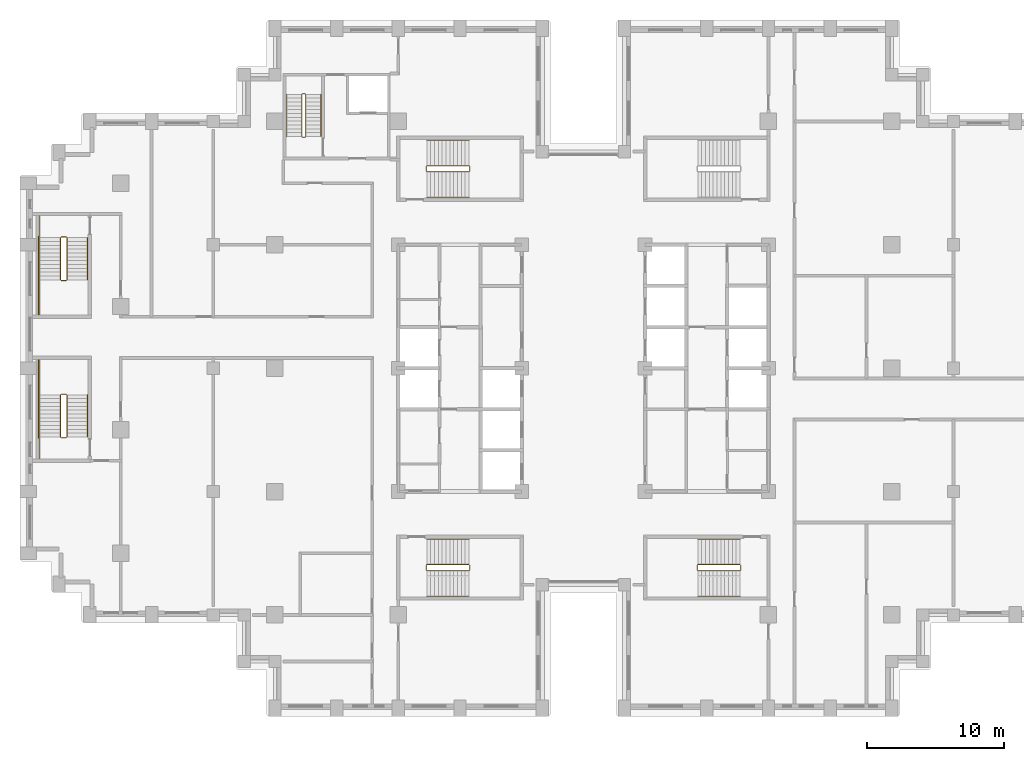
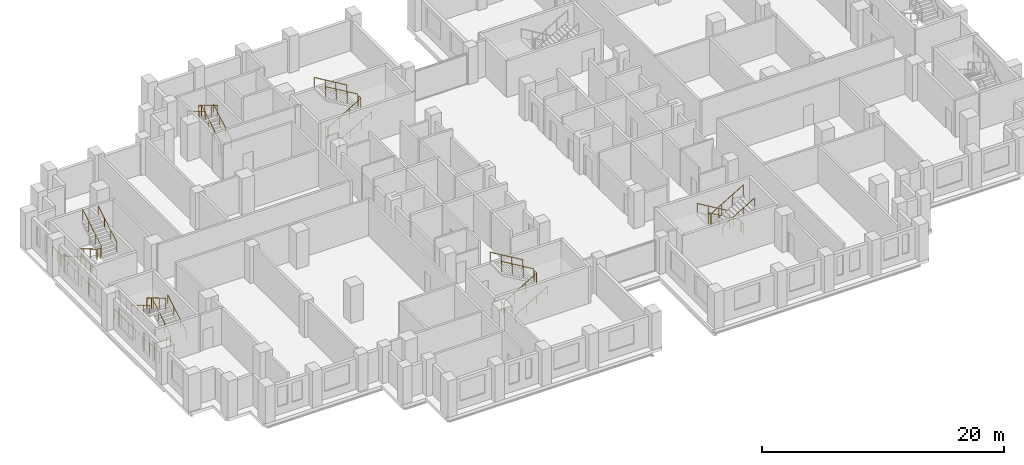
# One storey, part 15 of 16: 6 railings.
"""IFC4 building model written with IfcOpenShell, lengths in metres."""

from ifc_helpers import new_model, si_unit, direction, frame, origin, origin_2d, place, context, subcontext, project, spatial, circle, extrude, material, type_object, element, save


model = new_model("IFC4")

# Units and contexts
model_context = context("Model", 3, precision=1e-05, world=origin(), true_north=direction((0.0, 1.0)))
body_context = subcontext(model_context, "Body", "Model", "MODEL_VIEW")
ifc_project = project(units=[si_unit("LENGTHUNIT", "METRE"), si_unit("AREAUNIT", "SQUARE_METRE"), si_unit("VOLUMEUNIT", "CUBIC_METRE"), si_unit("PLANEANGLEUNIT", "RADIAN"), si_unit("MASSUNIT", "GRAM", prefix="KILO")], contexts=[model_context])

# Site, building, storey
site_placement = place(None, origin())
site = spatial("IfcSite", under=ifc_project, at=site_placement, CompositionType="ELEMENT")
building_placement = place(site_placement, origin())
building = spatial("IfcBuilding", under=site, at=building_placement, Name="Corbelhall Arena Tower", CompositionType="ELEMENT")
storey_placement = place(building_placement, frame((0.0, 0.0, 76.0)))
storey = spatial("IfcBuildingStorey", under=building, at=storey_placement, Name="L11", CompositionType="ELEMENT", Elevation=76.0)

# Railings
ifc_material = material(Name="Steel ASTM A500 Gr C", Category="steel")
railing_type = type_object("IfcRailingType", Name="IN-GD-1100", PredefinedType="GUARDRAIL", material=ifc_material)
railing_1_placement = place(storey_placement, frame((-11.425048828125, 14.324951171875, 0.166748046875)))
element("IfcRailing", 1, at=railing_1_placement, inside=storey, type_object=railing_type, Name="L11 ST1 stair guards and handrails", PredefinedType="GUARDRAIL", context=body_context, shape_type="SweptSolid", body=[
    extrude(circle(Radius=0.02392578125, at=origin_2d()), frame((0.0, 0.0, 1.076171875), z_axis=(0.859308565015, 0.0, 0.511457515432), x_axis=(0.0, 1.0, 0.0)), (0.0, 0.0, 1.0), 3.58447265625),
    extrude(circle(Radius=0.02392578125, at=origin_2d()), frame((3.130126953125, 0.050048828125, 2.9091796875), z_axis=(0.0, 1.0, 0.0), x_axis=(-1.0, 0.0, 0.0)), (0.0, 0.0, 1.0), 0.35009765625),
    extrude(circle(Radius=0.02392578125, at=origin_2d()), frame((3.080078125, 0.449951171875, 3.076171875), z_axis=(-0.859308565015, 0.0, 0.511457515432), x_axis=(0.0, -1.0, 0.0)), (0.0, 0.0, 1.0), 3.58447265625),
    extrude(circle(Radius=0.02392578125, at=origin_2d()), frame((-0.050048828125, 0.050048828125, 0.9091796875), z_axis=(0.0, 1.0, 0.0), x_axis=(-1.0, 0.0, 0.0)), (0.0, 0.0, 1.0), 0.35009765625),
    extrude(circle(Radius=0.02392578125, at=origin_2d()), frame((0.0, -1.849853515625, 0.8759765625), z_axis=(0.859308565015, 0.0, 0.511457515432), x_axis=(0.0, 1.0, 0.0)), (0.0, 0.0, 1.0), 3.58447265625),
    extrude(circle(Radius=0.02392578125, at=origin_2d()), frame((3.080078125, 2.300048828125, 2.8759765625), z_axis=(-0.859308565015, 0.0, 0.511457515432), x_axis=(0.0, -1.0, 0.0)), (0.0, 0.0, 1.0), 3.58447265625),
    extrude(circle(Radius=0.02099609375, at=origin_2d()), origin(), (0.0, 0.0, 1.0), 1.052001953125),
    extrude(circle(Radius=0.02099609375, at=origin_2d()), frame((1.026611328125, 0.0, 0.611083984375)), (0.0, 0.0, 1.0), 1.052001953125),
    extrude(circle(Radius=0.02099609375, at=origin_2d()), frame((2.053466796875, 0.0, 1.22216796875)), (0.0, 0.0, 1.0), 1.052001953125),
    extrude(circle(Radius=0.02099609375, at=origin_2d()), frame((3.080078125, 0.0, 1.833251953125)), (0.0, 0.0, 1.0), 1.052001953125),
    extrude(circle(Radius=0.02099609375, at=origin_2d()), frame((3.130126953125, 0.050048828125, 1.833251953125)), (0.0, 0.0, 1.0), 1.052001953125),
    extrude(circle(Radius=0.02099609375, at=origin_2d()), frame((3.130126953125, 0.400146484375, 1.833251953125)), (0.0, 0.0, 1.0), 1.052001953125),
    extrude(circle(Radius=0.02099609375, at=origin_2d()), frame((3.080078125, 0.449951171875, 2.0)), (0.0, 0.0, 1.0), 1.052001953125),
    extrude(circle(Radius=0.02099609375, at=origin_2d()), frame((2.053466796875, 0.449951171875, 2.611083984375)), (0.0, 0.0, 1.0), 1.052001953125),
    extrude(circle(Radius=0.02099609375, at=origin_2d()), frame((1.026611328125, 0.449951171875, 3.22216796875)), (0.0, 0.0, 1.0), 1.052001953125),
    extrude(circle(Radius=0.02099609375, at=origin_2d()), frame((0.0, 0.449951171875, 3.833251953125)), (0.0, 0.0, 1.0), 1.052001953125),
    extrude(circle(Radius=0.02099609375, at=origin_2d()), frame((-0.050048828125, 0.050048828125, -0.166748046875)), (0.0, 0.0, 1.0), 1.052001953125),
    extrude(circle(Radius=0.02099609375, at=origin_2d()), frame((-0.050048828125, 0.400146484375, -0.166748046875)), (0.0, 0.0, 1.0), 1.052001953125),
    extrude(circle(Radius=0.02099609375, at=origin_2d()), frame((0.0, -1.849853515625, 0.0)), (0.0, 0.0, 1.0), 0.851806640625),
    extrude(circle(Radius=0.02099609375, at=origin_2d()), frame((1.026611328125, -1.849853515625, 0.611083984375)), (0.0, 0.0, 1.0), 0.851806640625),
    extrude(circle(Radius=0.02099609375, at=origin_2d()), frame((2.053466796875, -1.849853515625, 1.22216796875)), (0.0, 0.0, 1.0), 0.851806640625),
    extrude(circle(Radius=0.02099609375, at=origin_2d()), frame((3.080078125, -1.849853515625, 1.833251953125)), (0.0, 0.0, 1.0), 0.851806640625),
    extrude(circle(Radius=0.02099609375, at=origin_2d()), frame((3.080078125, 2.300048828125, 2.0)), (0.0, 0.0, 1.0), 0.851806640625),
    extrude(circle(Radius=0.02099609375, at=origin_2d()), frame((2.053466796875, 2.300048828125, 2.611083984375)), (0.0, 0.0, 1.0), 0.851806640625),
    extrude(circle(Radius=0.02099609375, at=origin_2d()), frame((1.026611328125, 2.300048828125, 3.22216796875)), (0.0, 0.0, 1.0), 0.851806640625),
    extrude(circle(Radius=0.02099609375, at=origin_2d()), frame((0.0, 2.300048828125, 3.833251953125)), (0.0, 0.0, 1.0), 0.851806640625),
])
railing_2_placement = place(storey_placement, frame((-11.425048828125, -14.77490234375, 0.166748046875)))
element("IfcRailing", 2, at=railing_2_placement, inside=storey, type_object=railing_type, Name="L11 ST2 stair guards and handrails", PredefinedType="GUARDRAIL", context=body_context, shape_type="SweptSolid", body=[
    extrude(circle(Radius=0.02392578125, at=origin_2d()), frame((0.0, 0.0, 1.076171875), z_axis=(0.859308565015, 0.0, 0.511457515432), x_axis=(0.0, 1.0, 0.0)), (0.0, 0.0, 1.0), 3.58447265625),
    extrude(circle(Radius=0.02392578125, at=origin_2d()), frame((3.130126953125, 0.0498046875, 2.9091796875), z_axis=(0.0, 1.0, 0.0), x_axis=(-1.0, 0.0, 0.0)), (0.0, 0.0, 1.0), 0.35009765625),
    extrude(circle(Radius=0.02392578125, at=origin_2d()), frame((3.080078125, 0.449951171875, 3.076171875), z_axis=(-0.859308565015, 0.0, 0.511457515432), x_axis=(0.0, -1.0, 0.0)), (0.0, 0.0, 1.0), 3.58447265625),
    extrude(circle(Radius=0.02392578125, at=origin_2d()), frame((-0.050048828125, 0.0498046875, 0.9091796875), z_axis=(0.0, 1.0, 0.0), x_axis=(-1.0, 0.0, 0.0)), (0.0, 0.0, 1.0), 0.35009765625),
    extrude(circle(Radius=0.02392578125, at=origin_2d()), frame((0.0, -1.85009765625, 0.8759765625), z_axis=(0.859308565015, 0.0, 0.511457515432), x_axis=(0.0, 1.0, 0.0)), (0.0, 0.0, 1.0), 3.58447265625),
    extrude(circle(Radius=0.02392578125, at=origin_2d()), frame((3.080078125, 2.2998046875, 2.8759765625), z_axis=(-0.859308565015, 0.0, 0.511457515432), x_axis=(0.0, -1.0, 0.0)), (0.0, 0.0, 1.0), 3.58447265625),
    extrude(circle(Radius=0.02099609375, at=origin_2d()), origin(), (0.0, 0.0, 1.0), 1.052001953125),
    extrude(circle(Radius=0.02099609375, at=origin_2d()), frame((1.026611328125, 0.0, 0.611083984375)), (0.0, 0.0, 1.0), 1.052001953125),
    extrude(circle(Radius=0.02099609375, at=origin_2d()), frame((2.053466796875, 0.0, 1.22216796875)), (0.0, 0.0, 1.0), 1.052001953125),
    extrude(circle(Radius=0.02099609375, at=origin_2d()), frame((3.080078125, 0.0, 1.833251953125)), (0.0, 0.0, 1.0), 1.052001953125),
    extrude(circle(Radius=0.02099609375, at=origin_2d()), frame((3.130126953125, 0.0498046875, 1.833251953125)), (0.0, 0.0, 1.0), 1.052001953125),
    extrude(circle(Radius=0.02099609375, at=origin_2d()), frame((3.130126953125, 0.39990234375, 1.833251953125)), (0.0, 0.0, 1.0), 1.052001953125),
    extrude(circle(Radius=0.02099609375, at=origin_2d()), frame((3.080078125, 0.449951171875, 2.0)), (0.0, 0.0, 1.0), 1.052001953125),
    extrude(circle(Radius=0.02099609375, at=origin_2d()), frame((2.053466796875, 0.449951171875, 2.611083984375)), (0.0, 0.0, 1.0), 1.052001953125),
    extrude(circle(Radius=0.02099609375, at=origin_2d()), frame((1.026611328125, 0.449951171875, 3.22216796875)), (0.0, 0.0, 1.0), 1.052001953125),
    extrude(circle(Radius=0.02099609375, at=origin_2d()), frame((0.0, 0.449951171875, 3.833251953125)), (0.0, 0.0, 1.0), 1.052001953125),
    extrude(circle(Radius=0.02099609375, at=origin_2d()), frame((-0.050048828125, 0.0498046875, -0.166748046875)), (0.0, 0.0, 1.0), 1.052001953125),
    extrude(circle(Radius=0.02099609375, at=origin_2d()), frame((-0.050048828125, 0.39990234375, -0.166748046875)), (0.0, 0.0, 1.0), 1.052001953125),
    extrude(circle(Radius=0.02099609375, at=origin_2d()), frame((0.0, -1.85009765625, 0.0)), (0.0, 0.0, 1.0), 0.851806640625),
    extrude(circle(Radius=0.02099609375, at=origin_2d()), frame((1.026611328125, -1.85009765625, 0.611083984375)), (0.0, 0.0, 1.0), 0.851806640625),
    extrude(circle(Radius=0.02099609375, at=origin_2d()), frame((2.053466796875, -1.85009765625, 1.22216796875)), (0.0, 0.0, 1.0), 0.851806640625),
    extrude(circle(Radius=0.02099609375, at=origin_2d()), frame((3.080078125, -1.85009765625, 1.833251953125)), (0.0, 0.0, 1.0), 0.851806640625),
    extrude(circle(Radius=0.02099609375, at=origin_2d()), frame((3.080078125, 2.2998046875, 2.0)), (0.0, 0.0, 1.0), 0.851806640625),
    extrude(circle(Radius=0.02099609375, at=origin_2d()), frame((2.053466796875, 2.2998046875, 2.611083984375)), (0.0, 0.0, 1.0), 0.851806640625),
    extrude(circle(Radius=0.02099609375, at=origin_2d()), frame((1.026611328125, 2.2998046875, 3.22216796875)), (0.0, 0.0, 1.0), 0.851806640625),
    extrude(circle(Radius=0.02099609375, at=origin_2d()), frame((0.0, 2.2998046875, 3.833251953125)), (0.0, 0.0, 1.0), 0.851806640625),
])
railing_3_placement = place(storey_placement, frame((11.425048828125, -14.324951171875, 0.166748046875)))
element("IfcRailing", 3, at=railing_3_placement, inside=storey, type_object=railing_type, Name="L11 ST4 stair guards and handrails", PredefinedType="GUARDRAIL", context=body_context, shape_type="SweptSolid", body=[
    extrude(circle(Radius=0.02392578125, at=origin_2d()), frame((0.0, 0.0, 1.076171875), z_axis=(-0.859308565015, 0.0, 0.511457515432), x_axis=(0.0, -1.0, 0.0)), (0.0, 0.0, 1.0), 3.58447265625),
    extrude(circle(Radius=0.02392578125, at=origin_2d()), frame((-3.130126953125, -0.050048828125, 2.9091796875), z_axis=(0.0, -1.0, 0.0), x_axis=(1.0, 0.0, 0.0)), (0.0, 0.0, 1.0), 0.35009765625),
    extrude(circle(Radius=0.02392578125, at=origin_2d()), frame((-3.080078125, -0.449951171875, 3.076171875), z_axis=(0.859308565015, 0.0, 0.511457515432), x_axis=(0.0, 1.0, 0.0)), (0.0, 0.0, 1.0), 3.58447265625),
    extrude(circle(Radius=0.02392578125, at=origin_2d()), frame((0.050048828125, -0.050048828125, 0.9091796875), z_axis=(0.0, -1.0, 0.0), x_axis=(1.0, 0.0, 0.0)), (0.0, 0.0, 1.0), 0.35009765625),
    extrude(circle(Radius=0.02392578125, at=origin_2d()), frame((0.0, 1.849853515625, 0.8759765625), z_axis=(-0.859308565015, 0.0, 0.511457515432), x_axis=(0.0, -1.0, 0.0)), (0.0, 0.0, 1.0), 3.58447265625),
    extrude(circle(Radius=0.02392578125, at=origin_2d()), frame((-3.080078125, -2.300048828125, 2.8759765625), z_axis=(0.859308565015, 0.0, 0.511457515432), x_axis=(0.0, 1.0, 0.0)), (0.0, 0.0, 1.0), 3.58447265625),
    extrude(circle(Radius=0.02099609375, at=origin_2d()), origin(), (0.0, 0.0, 1.0), 1.052001953125),
    extrude(circle(Radius=0.02099609375, at=origin_2d()), frame((-1.026611328125, 0.0, 0.611083984375)), (0.0, 0.0, 1.0), 1.052001953125),
    extrude(circle(Radius=0.02099609375, at=origin_2d()), frame((-2.053466796875, 0.0, 1.22216796875)), (0.0, 0.0, 1.0), 1.052001953125),
    extrude(circle(Radius=0.02099609375, at=origin_2d()), frame((-3.080078125, 0.0, 1.833251953125)), (0.0, 0.0, 1.0), 1.052001953125),
    extrude(circle(Radius=0.02099609375, at=origin_2d()), frame((-3.130126953125, -0.050048828125, 1.833251953125)), (0.0, 0.0, 1.0), 1.052001953125),
    extrude(circle(Radius=0.02099609375, at=origin_2d()), frame((-3.130126953125, -0.400146484375, 1.833251953125)), (0.0, 0.0, 1.0), 1.052001953125),
    extrude(circle(Radius=0.02099609375, at=origin_2d()), frame((-3.080078125, -0.449951171875, 2.0)), (0.0, 0.0, 1.0), 1.052001953125),
    extrude(circle(Radius=0.02099609375, at=origin_2d()), frame((-2.053466796875, -0.449951171875, 2.611083984375)), (0.0, 0.0, 1.0), 1.052001953125),
    extrude(circle(Radius=0.02099609375, at=origin_2d()), frame((-1.026611328125, -0.449951171875, 3.22216796875)), (0.0, 0.0, 1.0), 1.052001953125),
    extrude(circle(Radius=0.02099609375, at=origin_2d()), frame((0.0, -0.449951171875, 3.833251953125)), (0.0, 0.0, 1.0), 1.052001953125),
    extrude(circle(Radius=0.02099609375, at=origin_2d()), frame((0.050048828125, -0.050048828125, -0.166748046875)), (0.0, 0.0, 1.0), 1.052001953125),
    extrude(circle(Radius=0.02099609375, at=origin_2d()), frame((0.050048828125, -0.400146484375, -0.166748046875)), (0.0, 0.0, 1.0), 1.052001953125),
    extrude(circle(Radius=0.02099609375, at=origin_2d()), frame((0.0, 1.849853515625, 0.0)), (0.0, 0.0, 1.0), 0.851806640625),
    extrude(circle(Radius=0.02099609375, at=origin_2d()), frame((-1.026611328125, 1.849853515625, 0.611083984375)), (0.0, 0.0, 1.0), 0.851806640625),
    extrude(circle(Radius=0.02099609375, at=origin_2d()), frame((-2.053466796875, 1.849853515625, 1.22216796875)), (0.0, 0.0, 1.0), 0.851806640625),
    extrude(circle(Radius=0.02099609375, at=origin_2d()), frame((-3.080078125, 1.849853515625, 1.833251953125)), (0.0, 0.0, 1.0), 0.851806640625),
    extrude(circle(Radius=0.02099609375, at=origin_2d()), frame((-3.080078125, -2.300048828125, 2.0)), (0.0, 0.0, 1.0), 0.851806640625),
    extrude(circle(Radius=0.02099609375, at=origin_2d()), frame((-2.053466796875, -2.300048828125, 2.611083984375)), (0.0, 0.0, 1.0), 0.851806640625),
    extrude(circle(Radius=0.02099609375, at=origin_2d()), frame((-1.026611328125, -2.300048828125, 3.22216796875)), (0.0, 0.0, 1.0), 0.851806640625),
    extrude(circle(Radius=0.02099609375, at=origin_2d()), frame((0.0, -2.300048828125, 3.833251953125)), (0.0, 0.0, 1.0), 0.851806640625),
])
railing_4_placement = place(storey_placement, frame((-38.14990234375, 9.52490234375, 0.166748046875)))
element("IfcRailing", 4, at=railing_4_placement, inside=storey, type_object=railing_type, Name="L11 SC1 stair guards and handrails", PredefinedType="GUARDRAIL", context=body_context, shape_type="SweptSolid", body=[
    extrude(circle(Radius=0.02392578125, at=origin_2d()), frame((0.0, 0.0, 1.076171875), z_axis=(0.0, -0.859290745958, 0.51148745235), x_axis=(1.0, 0.0, 0.0)), (0.0, 0.0, 1.0), 3.584228515625),
    extrude(circle(Radius=0.02392578125, at=origin_2d()), frame((0.0498046875, -3.1298828125, 2.9091796875), z_axis=(1.0, 0.0, 0.0), x_axis=(0.0, 1.0, 0.0)), (0.0, 0.0, 1.0), 0.375),
    extrude(circle(Radius=0.02392578125, at=origin_2d()), frame((-1.5, -3.079833984375, 2.9091796875), z_axis=(0.0, -1.0, 0.0), x_axis=(1.0, 0.0, 0.0)), (0.0, 0.0, 1.0), 2.570068359375),
    extrude(circle(Radius=0.02392578125, at=origin_2d()), frame((0.474853515625, -3.079833984375, 3.076171875), z_axis=(0.0, 0.859290745958, 0.51148745235), x_axis=(-1.0, 0.0, 0.0)), (0.0, 0.0, 1.0), 3.584228515625),
    extrude(circle(Radius=0.02392578125, at=origin_2d()), frame((0.0498046875, 0.050048828125, 0.9091796875), z_axis=(1.0, 0.0, 0.0), x_axis=(0.0, 1.0, 0.0)), (0.0, 0.0, 1.0), 0.375),
    extrude(circle(Radius=0.02392578125, at=origin_2d()), frame((-1.5, 1.60009765625, 0.9091796875), z_axis=(0.0, -1.0, 0.0), x_axis=(1.0, 0.0, 0.0)), (0.0, 0.0, 1.0), 1.60009765625),
    extrude(circle(Radius=0.02392578125, at=origin_2d()), frame((-1.60009765625, 0.10009765625, 0.9091796875), z_axis=(0.0, -1.0, 0.0), x_axis=(1.0, 0.0, 0.0)), (0.0, 0.0, 1.0), 5.85009765625),
    extrude(circle(Radius=0.02392578125, at=origin_2d()), frame((-1.5, 0.0, 0.8759765625), z_axis=(0.0, -0.859290745958, 0.51148745235), x_axis=(1.0, 0.0, 0.0)), (0.0, 0.0, 1.0), 3.584228515625),
    extrude(circle(Radius=0.02392578125, at=origin_2d()), frame((1.974853515625, -3.079833984375, 2.8759765625), z_axis=(0.0, 0.859290745958, 0.51148745235), x_axis=(-1.0, 0.0, 0.0)), (0.0, 0.0, 1.0), 3.584228515625),
    extrude(circle(Radius=0.02099609375, at=origin_2d()), origin(), (0.0, 0.0, 1.0), 1.052001953125),
    extrude(circle(Radius=0.02099609375, at=origin_2d()), frame((0.0, -1.026611328125, 0.611083984375)), (0.0, 0.0, 1.0), 1.052001953125),
    extrude(circle(Radius=0.02099609375, at=origin_2d()), frame((0.0, -2.05322265625, 1.22216796875)), (0.0, 0.0, 1.0), 1.052001953125),
    extrude(circle(Radius=0.02099609375, at=origin_2d()), frame((0.0, -3.079833984375, 1.833251953125)), (0.0, 0.0, 1.0), 1.052001953125),
    extrude(circle(Radius=0.02099609375, at=origin_2d()), frame((0.0498046875, -3.1298828125, 1.833251953125)), (0.0, 0.0, 1.0), 1.052001953125),
    extrude(circle(Radius=0.02099609375, at=origin_2d()), frame((0.4248046875, -3.1298828125, 1.833251953125)), (0.0, 0.0, 1.0), 1.052001953125),
    extrude(circle(Radius=0.02099609375, at=origin_2d()), frame((-1.5, -3.079833984375, 1.833251953125)), (0.0, 0.0, 1.0), 1.052001953125),
    extrude(circle(Radius=0.02099609375, at=origin_2d()), frame((-1.5, -3.9365234375, 1.833251953125)), (0.0, 0.0, 1.0), 1.052001953125),
    extrude(circle(Radius=0.02099609375, at=origin_2d()), frame((-1.5, -4.793212890625, 1.833251953125)), (0.0, 0.0, 1.0), 1.052001953125),
    extrude(circle(Radius=0.02099609375, at=origin_2d()), frame((-1.5, -5.64990234375, 1.833251953125)), (0.0, 0.0, 1.0), 1.052001953125),
    extrude(circle(Radius=0.02099609375, at=origin_2d()), frame((0.474853515625, -3.079833984375, 2.0)), (0.0, 0.0, 1.0), 1.052001953125),
    extrude(circle(Radius=0.02099609375, at=origin_2d()), frame((0.474853515625, -2.05322265625, 2.611083984375)), (0.0, 0.0, 1.0), 1.052001953125),
    extrude(circle(Radius=0.02099609375, at=origin_2d()), frame((0.474853515625, -1.026611328125, 3.22216796875)), (0.0, 0.0, 1.0), 1.052001953125),
    extrude(circle(Radius=0.02099609375, at=origin_2d()), frame((0.474853515625, 0.0, 3.833251953125)), (0.0, 0.0, 1.0), 1.052001953125),
    extrude(circle(Radius=0.02099609375, at=origin_2d()), frame((0.0498046875, 0.050048828125, -0.166748046875)), (0.0, 0.0, 1.0), 1.052001953125),
    extrude(circle(Radius=0.02099609375, at=origin_2d()), frame((0.4248046875, 0.050048828125, -0.166748046875)), (0.0, 0.0, 1.0), 1.052001953125),
    extrude(circle(Radius=0.02099609375, at=origin_2d()), frame((-1.5, 1.60009765625, -0.166748046875)), (0.0, 0.0, 1.0), 1.052001953125),
    extrude(circle(Radius=0.02099609375, at=origin_2d()), frame((-1.5, 0.800048828125, -0.166748046875)), (0.0, 0.0, 1.0), 1.052001953125),
    extrude(circle(Radius=0.02099609375, at=origin_2d()), frame((-1.5, 0.0, -0.166748046875)), (0.0, 0.0, 1.0), 1.052001953125),
    extrude(circle(Radius=0.02099609375, at=origin_2d()), frame((-1.60009765625, 0.10009765625, -0.166748046875)), (0.0, 0.0, 1.0), 1.052001953125),
    extrude(circle(Radius=0.02099609375, at=origin_2d()), frame((-1.60009765625, -1.06982421875, -0.166748046875)), (0.0, 0.0, 1.0), 1.052001953125),
    extrude(circle(Radius=0.02099609375, at=origin_2d()), frame((-1.60009765625, -2.239990234375, -0.166748046875)), (0.0, 0.0, 1.0), 1.052001953125),
    extrude(circle(Radius=0.02099609375, at=origin_2d()), frame((-1.60009765625, -3.409912109375, -0.166748046875)), (0.0, 0.0, 1.0), 1.052001953125),
    extrude(circle(Radius=0.02099609375, at=origin_2d()), frame((-1.60009765625, -4.580078125, -0.166748046875)), (0.0, 0.0, 1.0), 1.052001953125),
    extrude(circle(Radius=0.02099609375, at=origin_2d()), frame((-1.60009765625, -5.75, -0.166748046875)), (0.0, 0.0, 1.0), 1.052001953125),
    extrude(circle(Radius=0.02099609375, at=origin_2d()), frame((-1.5, 0.0, 0.0)), (0.0, 0.0, 1.0), 0.851806640625),
    extrude(circle(Radius=0.02099609375, at=origin_2d()), frame((-1.5, -1.026611328125, 0.611083984375)), (0.0, 0.0, 1.0), 0.851806640625),
    extrude(circle(Radius=0.02099609375, at=origin_2d()), frame((-1.5, -2.05322265625, 1.22216796875)), (0.0, 0.0, 1.0), 0.851806640625),
    extrude(circle(Radius=0.02099609375, at=origin_2d()), frame((1.974853515625, -3.079833984375, 2.0)), (0.0, 0.0, 1.0), 0.851806640625),
    extrude(circle(Radius=0.02099609375, at=origin_2d()), frame((1.974853515625, -2.05322265625, 2.611083984375)), (0.0, 0.0, 1.0), 0.851806640625),
    extrude(circle(Radius=0.02099609375, at=origin_2d()), frame((1.974853515625, -1.026611328125, 3.22216796875)), (0.0, 0.0, 1.0), 0.851806640625),
    extrude(circle(Radius=0.02099609375, at=origin_2d()), frame((1.974853515625, 0.0, 3.833251953125)), (0.0, 0.0, 1.0), 0.851806640625),
])
railing_5_placement = place(storey_placement, frame((-37.675048828125, -5.02490234375, 0.166748046875)))
element("IfcRailing", 5, at=railing_5_placement, inside=storey, type_object=railing_type, Name="L11 SC2 stair guards and handrails", PredefinedType="GUARDRAIL", context=body_context, shape_type="SweptSolid", body=[
    extrude(circle(Radius=0.02392578125, at=origin_2d()), frame((0.0, 0.0, 1.076171875), z_axis=(0.0, 0.859290745958, 0.51148745235), x_axis=(-1.0, 0.0, 0.0)), (0.0, 0.0, 1.0), 3.584228515625),
    extrude(circle(Radius=0.02392578125, at=origin_2d()), frame((-0.050048828125, 3.1298828125, 2.9091796875), z_axis=(-1.0, 0.0, 0.0), x_axis=(0.0, -1.0, 0.0)), (0.0, 0.0, 1.0), 0.375),
    extrude(circle(Radius=0.02392578125, at=origin_2d()), frame((-1.974853515625, 3.079833984375, 2.9091796875), z_axis=(0.0, 1.0, 0.0), x_axis=(-1.0, 0.0, 0.0)), (0.0, 0.0, 1.0), 2.570068359375),
    extrude(circle(Radius=0.02392578125, at=origin_2d()), frame((-0.474853515625, 3.079833984375, 3.076171875), z_axis=(0.0, -0.859290745958, 0.51148745235), x_axis=(1.0, 0.0, 0.0)), (0.0, 0.0, 1.0), 3.584228515625),
    extrude(circle(Radius=0.02392578125, at=origin_2d()), frame((-0.050048828125, -0.050048828125, 0.9091796875), z_axis=(-1.0, 0.0, 0.0), x_axis=(0.0, -1.0, 0.0)), (0.0, 0.0, 1.0), 0.375),
    extrude(circle(Radius=0.02392578125, at=origin_2d()), frame((-1.974853515625, -1.60009765625, 0.9091796875), z_axis=(0.0, 1.0, 0.0), x_axis=(-1.0, 0.0, 0.0)), (0.0, 0.0, 1.0), 1.60009765625),
    extrude(circle(Radius=0.02392578125, at=origin_2d()), frame((-2.074951171875, -0.10009765625, 0.9091796875), z_axis=(0.0, 1.0, 0.0), x_axis=(-1.0, 0.0, 0.0)), (0.0, 0.0, 1.0), 5.85009765625),
    extrude(circle(Radius=0.02392578125, at=origin_2d()), frame((1.5, 0.0, 0.8759765625), z_axis=(0.0, 0.859290745958, 0.51148745235), x_axis=(-1.0, 0.0, 0.0)), (0.0, 0.0, 1.0), 3.584228515625),
    extrude(circle(Radius=0.02392578125, at=origin_2d()), frame((-1.974853515625, 3.079833984375, 2.8759765625), z_axis=(0.0, -0.859290745958, 0.51148745235), x_axis=(1.0, 0.0, 0.0)), (0.0, 0.0, 1.0), 3.584228515625),
    extrude(circle(Radius=0.02099609375, at=origin_2d()), origin(), (0.0, 0.0, 1.0), 1.052001953125),
    extrude(circle(Radius=0.02099609375, at=origin_2d()), frame((0.0, 1.026611328125, 0.611083984375)), (0.0, 0.0, 1.0), 1.052001953125),
    extrude(circle(Radius=0.02099609375, at=origin_2d()), frame((0.0, 2.05322265625, 1.22216796875)), (0.0, 0.0, 1.0), 1.052001953125),
    extrude(circle(Radius=0.02099609375, at=origin_2d()), frame((0.0, 3.079833984375, 1.833251953125)), (0.0, 0.0, 1.0), 1.052001953125),
    extrude(circle(Radius=0.02099609375, at=origin_2d()), frame((-0.050048828125, 3.1298828125, 1.833251953125)), (0.0, 0.0, 1.0), 1.052001953125),
    extrude(circle(Radius=0.02099609375, at=origin_2d()), frame((-0.425048828125, 3.1298828125, 1.833251953125)), (0.0, 0.0, 1.0), 1.052001953125),
    extrude(circle(Radius=0.02099609375, at=origin_2d()), frame((-1.974853515625, 3.079833984375, 1.833251953125)), (0.0, 0.0, 1.0), 1.052001953125),
    extrude(circle(Radius=0.02099609375, at=origin_2d()), frame((-1.974853515625, 3.9365234375, 1.833251953125)), (0.0, 0.0, 1.0), 1.052001953125),
    extrude(circle(Radius=0.02099609375, at=origin_2d()), frame((-1.974853515625, 4.793212890625, 1.833251953125)), (0.0, 0.0, 1.0), 1.052001953125),
    extrude(circle(Radius=0.02099609375, at=origin_2d()), frame((-1.974853515625, 5.64990234375, 1.833251953125)), (0.0, 0.0, 1.0), 1.052001953125),
    extrude(circle(Radius=0.02099609375, at=origin_2d()), frame((-0.474853515625, 3.079833984375, 2.0)), (0.0, 0.0, 1.0), 1.052001953125),
    extrude(circle(Radius=0.02099609375, at=origin_2d()), frame((-0.474853515625, 2.05322265625, 2.611083984375)), (0.0, 0.0, 1.0), 1.052001953125),
    extrude(circle(Radius=0.02099609375, at=origin_2d()), frame((-0.474853515625, 1.026611328125, 3.22216796875)), (0.0, 0.0, 1.0), 1.052001953125),
    extrude(circle(Radius=0.02099609375, at=origin_2d()), frame((-0.474853515625, 0.0, 3.833251953125)), (0.0, 0.0, 1.0), 1.052001953125),
    extrude(circle(Radius=0.02099609375, at=origin_2d()), frame((-0.050048828125, -0.050048828125, -0.166748046875)), (0.0, 0.0, 1.0), 1.052001953125),
    extrude(circle(Radius=0.02099609375, at=origin_2d()), frame((-0.425048828125, -0.050048828125, -0.166748046875)), (0.0, 0.0, 1.0), 1.052001953125),
    extrude(circle(Radius=0.02099609375, at=origin_2d()), frame((-1.974853515625, -1.60009765625, -0.166748046875)), (0.0, 0.0, 1.0), 1.052001953125),
    extrude(circle(Radius=0.02099609375, at=origin_2d()), frame((-1.974853515625, -0.800048828125, -0.166748046875)), (0.0, 0.0, 1.0), 1.052001953125),
    extrude(circle(Radius=0.02099609375, at=origin_2d()), frame((-1.974853515625, 0.0, -0.166748046875)), (0.0, 0.0, 1.0), 1.052001953125),
    extrude(circle(Radius=0.02099609375, at=origin_2d()), frame((-2.074951171875, -0.10009765625, -0.166748046875)), (0.0, 0.0, 1.0), 1.052001953125),
    extrude(circle(Radius=0.02099609375, at=origin_2d()), frame((-2.074951171875, 1.06982421875, -0.166748046875)), (0.0, 0.0, 1.0), 1.052001953125),
    extrude(circle(Radius=0.02099609375, at=origin_2d()), frame((-2.074951171875, 2.239990234375, -0.166748046875)), (0.0, 0.0, 1.0), 1.052001953125),
    extrude(circle(Radius=0.02099609375, at=origin_2d()), frame((-2.074951171875, 3.409912109375, -0.166748046875)), (0.0, 0.0, 1.0), 1.052001953125),
    extrude(circle(Radius=0.02099609375, at=origin_2d()), frame((-2.074951171875, 4.580078125, -0.166748046875)), (0.0, 0.0, 1.0), 1.052001953125),
    extrude(circle(Radius=0.02099609375, at=origin_2d()), frame((-2.074951171875, 5.75, -0.166748046875)), (0.0, 0.0, 1.0), 1.052001953125),
    extrude(circle(Radius=0.02099609375, at=origin_2d()), frame((1.5, 0.0, 0.0)), (0.0, 0.0, 1.0), 0.851806640625),
    extrude(circle(Radius=0.02099609375, at=origin_2d()), frame((1.5, 1.026611328125, 0.611083984375)), (0.0, 0.0, 1.0), 0.851806640625),
    extrude(circle(Radius=0.02099609375, at=origin_2d()), frame((1.5, 2.05322265625, 1.22216796875)), (0.0, 0.0, 1.0), 0.851806640625),
    extrude(circle(Radius=0.02099609375, at=origin_2d()), frame((1.5, 3.079833984375, 1.833251953125)), (0.0, 0.0, 1.0), 0.851806640625),
    extrude(circle(Radius=0.02099609375, at=origin_2d()), frame((-1.974853515625, 3.079833984375, 2.0)), (0.0, 0.0, 1.0), 0.851806640625),
    extrude(circle(Radius=0.02099609375, at=origin_2d()), frame((-1.974853515625, 2.05322265625, 2.611083984375)), (0.0, 0.0, 1.0), 0.851806640625),
    extrude(circle(Radius=0.02099609375, at=origin_2d()), frame((-1.974853515625, 1.026611328125, 3.22216796875)), (0.0, 0.0, 1.0), 0.851806640625),
    extrude(circle(Radius=0.02099609375, at=origin_2d()), frame((-1.974853515625, 0.0, 3.833251953125)), (0.0, 0.0, 1.0), 0.851806640625),
])
railing_6_placement = place(storey_placement, frame((-20.2451171875, 16.89990234375, 0.166748046875)))
element("IfcRailing", 6, at=railing_6_placement, inside=storey, type_object=railing_type, Name="L11 ST5 stair guards and handrails", PredefinedType="GUARDRAIL", context=body_context, shape_type="SweptSolid", body=[
    extrude(circle(Radius=0.02392578125, at=origin_2d()), frame((0.0, 0.0, 1.076171875), z_axis=(0.0, 0.859308565015, 0.511457515432), x_axis=(-1.0, 0.0, 0.0)), (0.0, 0.0, 1.0), 3.58447265625),
    extrude(circle(Radius=0.02392578125, at=origin_2d()), frame((-0.0498046875, 3.130126953125, 2.9091796875), z_axis=(-1.0, 0.0, 0.0), x_axis=(0.0, -1.0, 0.0)), (0.0, 0.0, 1.0), 0.2001953125),
    extrude(circle(Radius=0.02392578125, at=origin_2d()), frame((-0.2998046875, 3.080078125, 3.076171875), z_axis=(0.0, -0.859308565015, 0.511457515432), x_axis=(1.0, 0.0, 0.0)), (0.0, 0.0, 1.0), 3.58447265625),
    extrude(circle(Radius=0.02392578125, at=origin_2d()), frame((-0.0498046875, -0.0498046875, 0.9091796875), z_axis=(-1.0, 0.0, 0.0), x_axis=(0.0, -1.0, 0.0)), (0.0, 0.0, 1.0), 0.2001953125),
    extrude(circle(Radius=0.02392578125, at=origin_2d()), frame((1.10009765625, 0.0, 0.8759765625), z_axis=(0.0, 0.859308565015, 0.511457515432), x_axis=(-1.0, 0.0, 0.0)), (0.0, 0.0, 1.0), 3.58447265625),
    extrude(circle(Radius=0.02392578125, at=origin_2d()), frame((-1.39990234375, 3.080078125, 2.8759765625), z_axis=(0.0, -0.859308565015, 0.511457515432), x_axis=(1.0, 0.0, 0.0)), (0.0, 0.0, 1.0), 3.58447265625),
    extrude(circle(Radius=0.02099609375, at=origin_2d()), origin(), (0.0, 0.0, 1.0), 1.052001953125),
    extrude(circle(Radius=0.02099609375, at=origin_2d()), frame((0.0, 1.026611328125, 0.611083984375)), (0.0, 0.0, 1.0), 1.052001953125),
    extrude(circle(Radius=0.02099609375, at=origin_2d()), frame((0.0, 2.053466796875, 1.22216796875)), (0.0, 0.0, 1.0), 1.052001953125),
    extrude(circle(Radius=0.02099609375, at=origin_2d()), frame((0.0, 3.080078125, 1.833251953125)), (0.0, 0.0, 1.0), 1.052001953125),
    extrude(circle(Radius=0.02099609375, at=origin_2d()), frame((-0.0498046875, 3.130126953125, 1.833251953125)), (0.0, 0.0, 1.0), 1.052001953125),
    extrude(circle(Radius=0.02099609375, at=origin_2d()), frame((-0.25, 3.130126953125, 1.833251953125)), (0.0, 0.0, 1.0), 1.052001953125),
    extrude(circle(Radius=0.02099609375, at=origin_2d()), frame((-0.2998046875, 3.080078125, 2.0)), (0.0, 0.0, 1.0), 1.052001953125),
    extrude(circle(Radius=0.02099609375, at=origin_2d()), frame((-0.2998046875, 2.053466796875, 2.611083984375)), (0.0, 0.0, 1.0), 1.052001953125),
    extrude(circle(Radius=0.02099609375, at=origin_2d()), frame((-0.2998046875, 1.026611328125, 3.22216796875)), (0.0, 0.0, 1.0), 1.052001953125),
    extrude(circle(Radius=0.02099609375, at=origin_2d()), frame((-0.2998046875, 0.0, 3.833251953125)), (0.0, 0.0, 1.0), 1.052001953125),
    extrude(circle(Radius=0.02099609375, at=origin_2d()), frame((-0.0498046875, -0.0498046875, -0.166748046875)), (0.0, 0.0, 1.0), 1.052001953125),
    extrude(circle(Radius=0.02099609375, at=origin_2d()), frame((-0.25, -0.0498046875, -0.166748046875)), (0.0, 0.0, 1.0), 1.052001953125),
    extrude(circle(Radius=0.02099609375, at=origin_2d()), frame((1.10009765625, 0.0, 0.0)), (0.0, 0.0, 1.0), 0.851806640625),
    extrude(circle(Radius=0.02099609375, at=origin_2d()), frame((1.10009765625, 1.026611328125, 0.611083984375)), (0.0, 0.0, 1.0), 0.851806640625),
    extrude(circle(Radius=0.02099609375, at=origin_2d()), frame((1.10009765625, 2.053466796875, 1.22216796875)), (0.0, 0.0, 1.0), 0.851806640625),
    extrude(circle(Radius=0.02099609375, at=origin_2d()), frame((1.10009765625, 3.080078125, 1.833251953125)), (0.0, 0.0, 1.0), 0.851806640625),
    extrude(circle(Radius=0.02099609375, at=origin_2d()), frame((-1.39990234375, 3.080078125, 2.0)), (0.0, 0.0, 1.0), 0.851806640625),
    extrude(circle(Radius=0.02099609375, at=origin_2d()), frame((-1.39990234375, 2.053466796875, 2.611083984375)), (0.0, 0.0, 1.0), 0.851806640625),
    extrude(circle(Radius=0.02099609375, at=origin_2d()), frame((-1.39990234375, 1.026611328125, 3.22216796875)), (0.0, 0.0, 1.0), 0.851806640625),
    extrude(circle(Radius=0.02099609375, at=origin_2d()), frame((-1.39990234375, 0.0, 3.833251953125)), (0.0, 0.0, 1.0), 0.851806640625),
])

save(model, "model.ifc")
